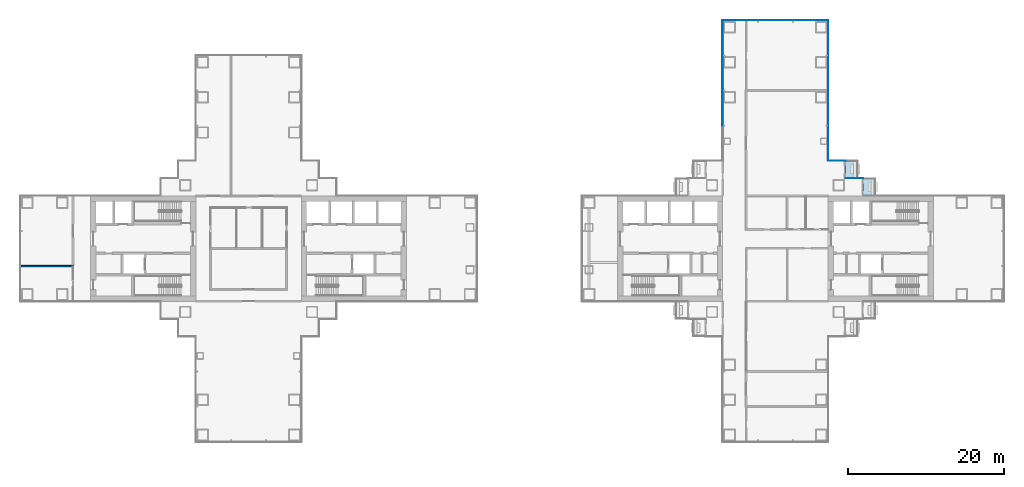
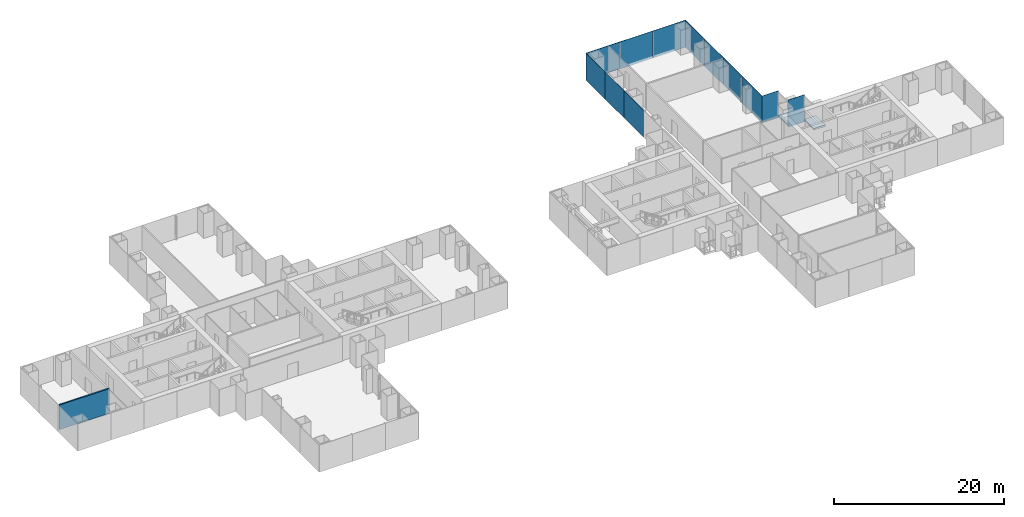
# One storey, part 13 of 22: 12 plates, 2 slabs, 1 wall, 4 elements without a shape of their own.
"""IFC4 building model written with IfcOpenShell, lengths in metres."""

from ifc_helpers import new_model, si_unit, direction, frame, frame_2d, origin, origin_2d, place, context, subcontext, project, spatial, polyline, rectangle, outline, extrude, material, layer, layer_set, type_object, element, aggregate, save


model = new_model("IFC4")

# Units and contexts
model_context = context("Model", 3, precision=1e-05, world=origin(), true_north=direction((0.0, 1.0)))
body_context = subcontext(model_context, "Body", "Model", "MODEL_VIEW")
ifc_project = project(units=[si_unit("LENGTHUNIT", "METRE"), si_unit("AREAUNIT", "SQUARE_METRE"), si_unit("VOLUMEUNIT", "CUBIC_METRE"), si_unit("PLANEANGLEUNIT", "RADIAN"), si_unit("MASSUNIT", "GRAM", prefix="KILO")], contexts=[model_context])

# Site, building, storey
site_placement = place(None, origin())
site = spatial("IfcSite", under=ifc_project, at=site_placement, CompositionType="ELEMENT")
building_placement = place(site_placement, origin())
building = spatial("IfcBuilding", under=site, at=building_placement, Name="Shamsa Quay Exchange Towers", CompositionType="ELEMENT")
storey_placement = place(building_placement, frame((0.0, 0.0, 69.300048828125)))
storey = spatial("IfcBuildingStorey", under=building, at=storey_placement, Name="L15", CompositionType="ELEMENT", Elevation=69.300048828125)

# Slabs
ifc_material_1 = material(Name="Precast concrete C40/50", Category="concrete")
ifc_layer_1 = layer(ifc_material_1, 0.25)
ifc_layer_set_1 = layer_set([ifc_layer_1], Name="BALCONY SLAB 250")
slab_type = type_object("IfcSlabType", Name="BALCONY SLAB 250", PredefinedType="FLOOR", material=ifc_layer_set_1)
slab_1_placement = place(storey_placement, frame((0.0, 0.0, -0.25)))
element("IfcSlab", 1, at=slab_1_placement, inside=storey, type_object=slab_type, Name="Balcony T2-PKES L15", PredefinedType="FLOOR", context=body_context, shape_type="SweptSolid", body=[
    extrude(outline(polyline([(42.75, 9.0380859375), (42.75, 11.25), (44.300048828125, 11.25), (44.300048828125, 9.0380859375), (42.75, 9.0380859375)])), origin(), (0.0, 0.0, 1.0), 0.25),
])
slab_2_placement = place(storey_placement, frame((0.0, 0.0, -0.25)))
element("IfcSlab", 2, at=slab_2_placement, inside=storey, type_object=slab_type, Name="Balcony T2-PKES L15", PredefinedType="FLOOR", context=body_context, shape_type="SweptSolid", body=[
    extrude(outline(polyline([(45.0, 6.7880859375), (45.0, 9.0), (46.550048828125, 9.0), (46.550048828125, 6.7880859375), (45.0, 6.7880859375)])), origin(), (0.0, 0.0, 1.0), 0.25),
])

# Curtain wall, plates
ifc_material_2 = material(Name="Aluminium EN AW-6063 T6, black anodised", Category="aluminium")
ifc_layer_2 = layer(ifc_material_2, 0.280029296875)
ifc_layer_set_2 = layer_set([ifc_layer_2], Name="CW-1 UNITISED VISION GLASS")
curtain_wall_type_1 = type_object("IfcCurtainWallType", Name="CW-1 UNITISED VISION GLASS", PredefinedType="NOTDEFINED", material=ifc_layer_set_2)
curtain_wall_1_placement = place(storey_placement, origin())
curtain_wall_1 = element("IfcCurtainWall", 3, at=curtain_wall_1_placement, inside=storey, type_object=curtain_wall_type_1, Name="CW1 T2-FLK-U+S L15", PredefinedType="NOTDEFINED")
ifc_material_3 = material(Name="Glass, laminated, dark tinted", Category="glass")
ifc_layer_3 = layer(ifc_material_3, 0.0400390625)
ifc_layer_set_3 = layer_set([ifc_layer_3], Name="CW-1 VISION GLASS 40")
plate_type_1 = type_object("IfcPlateType", Name="CW-1 VISION GLASS 40", PredefinedType="CURTAIN_PANEL", material=ifc_layer_set_3)
plate_1_placement = place(storey_placement, frame((40.52001953125, 13.53076171875, -0.35009765625), z_axis=(0.0, 0.0, 1.0), x_axis=(0.0, 1.0, 0.0)))
plate_1 = element("IfcPlate", 4, at=plate_1_placement, type_object=plate_type_1, Name="CW1 glass panel", PredefinedType="CURTAIN_PANEL", context=body_context, shape_type="SweptSolid", body=[
    extrude(rectangle(XDim=4.485595703125, YDim=0.0400390625, at=origin_2d()), origin(), (0.0, 0.0, 1.0), 3.89990234375),
])
plate_2_placement = place(storey_placement, frame((40.52001953125, 18.023681640625, -0.35009765625), z_axis=(0.0, 0.0, 1.0), x_axis=(0.0, 1.0, 0.0)))
plate_2 = element("IfcPlate", 5, at=plate_2_placement, type_object=plate_type_1, Name="CW1 glass panel", PredefinedType="CURTAIN_PANEL", context=body_context, shape_type="SweptSolid", body=[
    extrude(rectangle(XDim=4.48046875, YDim=0.0400390625, at=origin_2d()), origin(), (0.0, 0.0, 1.0), 3.89990234375),
])
plate_3_placement = place(storey_placement, frame((40.52001953125, 22.51416015625, -0.35009765625), z_axis=(0.0, 0.0, 1.0), x_axis=(0.0, 1.0, 0.0)))
plate_3 = element("IfcPlate", 6, at=plate_3_placement, type_object=plate_type_1, Name="CW1 glass panel", PredefinedType="CURTAIN_PANEL", context=body_context, shape_type="SweptSolid", body=[
    extrude(rectangle(XDim=4.48046875, YDim=0.0400390625, at=origin_2d()), origin(), (0.0, 0.0, 1.0), 3.89990234375),
])
plate_4_placement = place(storey_placement, frame((40.52001953125, 27.00732421875, -0.35009765625), z_axis=(0.0, 0.0, 1.0), x_axis=(0.0, 1.0, 0.0)))
plate_4 = element("IfcPlate", 7, at=plate_4_placement, type_object=plate_type_1, Name="CW1 glass panel", PredefinedType="CURTAIN_PANEL", context=body_context, shape_type="SweptSolid", body=[
    extrude(rectangle(XDim=4.485595703125, YDim=0.0400390625, at=origin_2d()), origin(), (0.0, 0.0, 1.0), 3.89990234375),
])
aggregate(curtain_wall_1, [plate_1, plate_2, plate_3, plate_4])

curtain_wall_2_placement = place(storey_placement, origin())
curtain_wall_2 = element("IfcCurtainWall", 8, at=curtain_wall_2_placement, inside=storey, type_object=curtain_wall_type_1, Name="CW1 T2-END-U+ L15", PredefinedType="NOTDEFINED")
plate_5_placement = place(storey_placement, frame((38.25244140625, 29.27001953125, -0.35009765625), z_axis=(0.0, 0.0, 1.0), x_axis=(-1.0, 0.0, 0.0)))
plate_5 = element("IfcPlate", 9, at=plate_5_placement, type_object=plate_type_1, Name="CW1 glass panel", PredefinedType="CURTAIN_PANEL", context=body_context, shape_type="SweptSolid", body=[
    extrude(rectangle(XDim=4.4951171875, YDim=0.0400390625, at=origin_2d()), origin(), (0.0, 0.0, 1.0), 3.89990234375),
])
plate_6_placement = place(storey_placement, frame((33.75, 29.27001953125, -0.35009765625), z_axis=(0.0, 0.0, 1.0), x_axis=(-1.0, 0.0, 0.0)))
plate_6 = element("IfcPlate", 10, at=plate_6_placement, type_object=plate_type_1, Name="CW1 glass panel", PredefinedType="CURTAIN_PANEL", context=body_context, shape_type="SweptSolid", body=[
    extrude(rectangle(XDim=4.489990234375, YDim=0.0400390625, at=origin_2d()), origin(), (0.0, 0.0, 1.0), 3.89990234375),
])
plate_7_placement = place(storey_placement, frame((29.24755859375, 29.27001953125, -0.35009765625), z_axis=(0.0, 0.0, 1.0), x_axis=(-1.0, 0.0, 0.0)))
plate_7 = element("IfcPlate", 11, at=plate_7_placement, type_object=plate_type_1, Name="CW1 glass panel", PredefinedType="CURTAIN_PANEL", context=body_context, shape_type="SweptSolid", body=[
    extrude(rectangle(XDim=4.4951171875, YDim=0.0400390625, at=origin_2d()), origin(), (0.0, 0.0, 1.0), 3.89990234375),
])
aggregate(curtain_wall_2, [plate_5, plate_6, plate_7])

curtain_wall_3_placement = place(storey_placement, origin())
curtain_wall_3 = element("IfcCurtainWall", 12, at=curtain_wall_3_placement, inside=storey, type_object=curtain_wall_type_1, Name="CW1 T2-FLK-U+N L15", PredefinedType="NOTDEFINED")
plate_8_placement = place(storey_placement, frame((26.97998046875, 27.00244140625, -0.35009765625), z_axis=(0.0, 0.0, 1.0), x_axis=(0.0, -1.0, 0.0)))
plate_8 = element("IfcPlate", 13, at=plate_8_placement, type_object=plate_type_1, Name="CW1 glass panel", PredefinedType="CURTAIN_PANEL", context=body_context, shape_type="SweptSolid", body=[
    extrude(rectangle(XDim=4.4951171875, YDim=0.0400390625, at=origin_2d()), origin(), (0.0, 0.0, 1.0), 3.89990234375),
])
plate_9_placement = place(storey_placement, frame((26.97998046875, 22.5, -0.35009765625), z_axis=(0.0, 0.0, 1.0), x_axis=(0.0, -1.0, 0.0)))
plate_9 = element("IfcPlate", 14, at=plate_9_placement, type_object=plate_type_1, Name="CW1 glass panel", PredefinedType="CURTAIN_PANEL", context=body_context, shape_type="SweptSolid", body=[
    extrude(rectangle(XDim=4.489990234375, YDim=0.0400390625, at=origin_2d()), origin(), (0.0, 0.0, 1.0), 3.89990234375),
])
plate_10_placement = place(storey_placement, frame((26.97998046875, 18.0, -0.35009765625), z_axis=(0.0, 0.0, 1.0), x_axis=(0.0, -1.0, 0.0)))
plate_10 = element("IfcPlate", 15, at=plate_10_placement, type_object=plate_type_1, Name="CW1 glass panel", PredefinedType="CURTAIN_PANEL", context=body_context, shape_type="SweptSolid", body=[
    extrude(rectangle(XDim=4.489990234375, YDim=0.0400390625, at=origin_2d()), origin(), (0.0, 0.0, 1.0), 3.89990234375),
])
aggregate(curtain_wall_3, [plate_8, plate_9, plate_10])

ifc_layer_4 = layer(ifc_material_2, 0.256103515625)
ifc_layer_set_4 = layer_set([ifc_layer_4], Name="CW-4 POCKET SERRATED GLAZING")
curtain_wall_type_2 = type_object("IfcCurtainWallType", Name="CW-4 POCKET SERRATED GLAZING", PredefinedType="NOTDEFINED", material=ifc_layer_set_4)
curtain_wall_4_placement = place(storey_placement, origin())
curtain_wall_4 = element("IfcCurtainWall", 16, at=curtain_wall_4_placement, inside=storey, type_object=curtain_wall_type_2, Name="CW4 PKES L15", PredefinedType="NOTDEFINED")
ifc_layer_5 = layer(ifc_material_3, 0.035888671875)
ifc_layer_set_5 = layer_set([ifc_layer_5], Name="CW-4 POCKET GLASS 36")
plate_type_2 = type_object("IfcPlateType", Name="CW-4 POCKET GLASS 36", PredefinedType="CURTAIN_PANEL", material=ifc_layer_set_5)
plate_11_placement = place(storey_placement, frame((43.875, 9.01806640625, -0.35009765625), z_axis=(0.0, 0.0, 1.0), x_axis=(-1.0, 0.0, 0.0)))
plate_11 = element("IfcPlate", 17, at=plate_11_placement, type_object=plate_type_2, Name="CW4 glass panel", PredefinedType="CURTAIN_PANEL", context=body_context, shape_type="SweptSolid", body=[
    extrude(rectangle(XDim=2.25, YDim=0.035888671875, at=origin_2d()), origin(), (0.0, 0.0, 1.0), 3.89990234375),
])
plate_12_placement = place(storey_placement, frame((41.625, 11.26806640625, -0.35009765625), z_axis=(0.0, 0.0, 1.0), x_axis=(-1.0, 0.0, 0.0)))
plate_12 = element("IfcPlate", 18, at=plate_12_placement, type_object=plate_type_2, Name="CW4 glass panel", PredefinedType="CURTAIN_PANEL", context=body_context, shape_type="SweptSolid", body=[
    extrude(rectangle(XDim=2.25, YDim=0.035888671875, at=origin_2d()), origin(), (0.0, 0.0, 1.0), 3.89990234375),
])
aggregate(curtain_wall_4, [plate_11, plate_12])

# Wall
ifc_material_4 = material(Name="Gypsum board partition on metal studs")
ifc_layer_6 = layer(ifc_material_4, 0.199951171875)
ifc_layer_set_6 = layer_set([ifc_layer_6], Name="Partition 200 mm EI 90")
wall_type = type_object("IfcWallType", Name="Partition 200 mm EI 90", PredefinedType="PARTITIONING", material=ifc_layer_set_6)
wall_placement = place(storey_placement, frame((-56.14990234375, -2.25, 0.0), z_axis=(0.0, 0.0, 1.0), x_axis=(-1.0, 0.0, 0.0)))
element("IfcWall", 19, at=wall_placement, inside=storey, type_object=wall_type, Name="Partition T1-R07-W15", PredefinedType="PARTITIONING", context=body_context, shape_type="SweptSolid", body=[
    extrude(rectangle(XDim=6.755126953125, YDim=0.199951171875, at=frame_2d((3.37744140625, 0.0))), origin(), (0.0, 0.0, 1.0), 3.550048828125),
])

save(model, "model.ifc")
